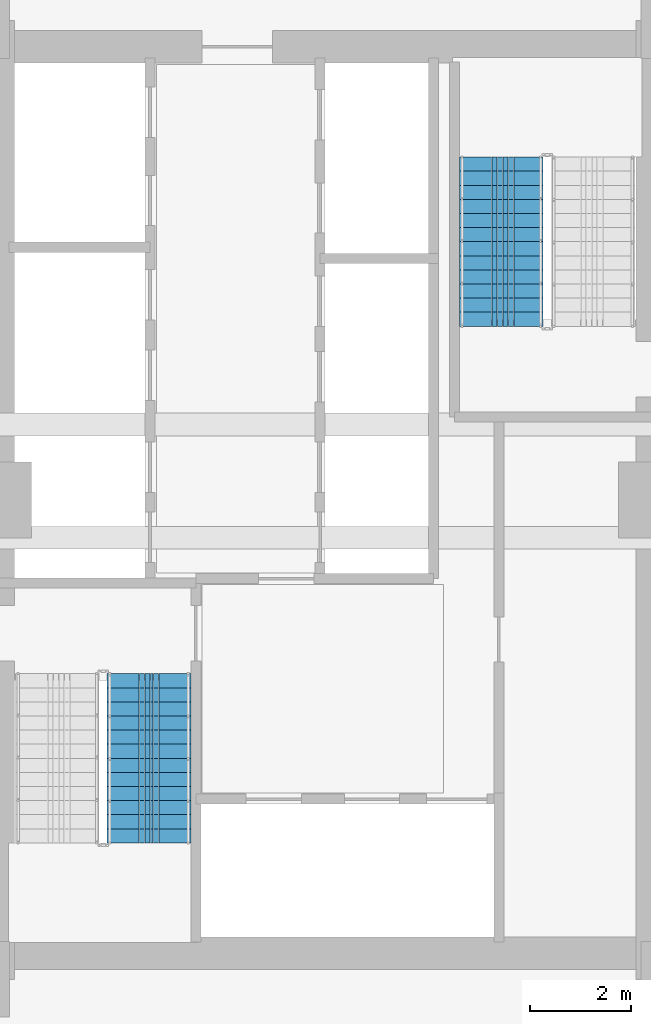
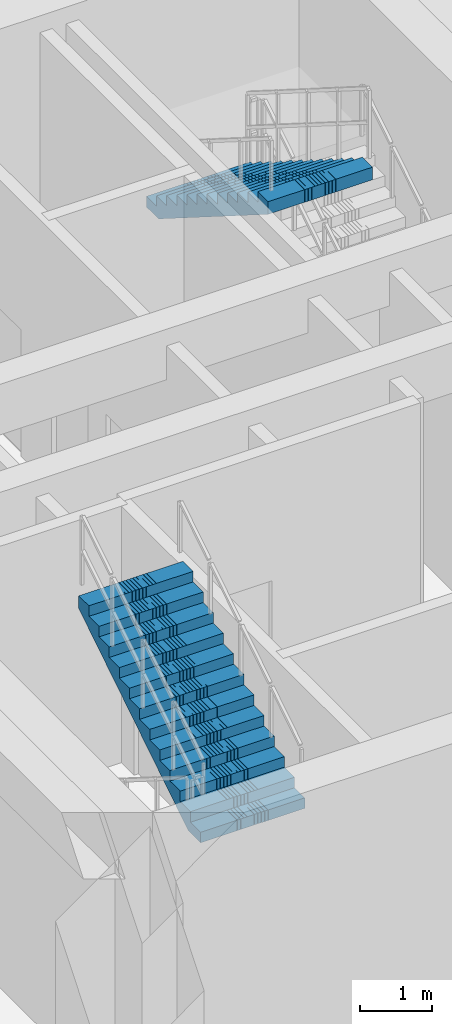
# One storey, part 5 of 12: 2 stair flights, 2 elements without a shape of their own.
"""IFC4 building model written with IfcOpenShell, lengths in metres."""

from ifc_helpers import new_model, si_unit, direction, frame, origin, place, context, subcontext, project, spatial, polyline, outline, extrude, material, type_object, element, aggregate, save


model = new_model("IFC4")

# Units and contexts
model_context = context("Model", 3, precision=1e-05, world=origin(), true_north=direction((0.0, 1.0)))
body_context = subcontext(model_context, "Body", "Model", "MODEL_VIEW")
ifc_project = project(units=[si_unit("LENGTHUNIT", "METRE"), si_unit("AREAUNIT", "SQUARE_METRE"), si_unit("VOLUMEUNIT", "CUBIC_METRE"), si_unit("PLANEANGLEUNIT", "RADIAN"), si_unit("MASSUNIT", "GRAM", prefix="KILO")], contexts=[model_context])

# Site, building, storey
site_placement = place(None, origin())
site = spatial("IfcSite", under=ifc_project, at=site_placement, CompositionType="ELEMENT")
building_placement = place(site_placement, origin())
building = spatial("IfcBuilding", under=site, at=building_placement, Name="Saelheon Loggia Tower", CompositionType="ELEMENT")
storey_placement = place(building_placement, frame((0.0, 0.0, -4.60009765625)))
storey = spatial("IfcBuildingStorey", under=building, at=storey_placement, Name="B1", CompositionType="ELEMENT", Elevation=-4.60009765625)

# Stair, stair flight
ifc_material = material(Name="Concrete C40/50", Category="concrete")
stair_type = type_object("IfcStairType", Name="Stair_Escape_Core", PredefinedType="HALF_TURN_STAIR", material=ifc_material)
stair_1_placement = place(storey_placement, origin())
stair_1 = element("IfcStair", 1, at=stair_1_placement, inside=storey, type_object=stair_type, Name="B1 Special Escape Stair ST1", PredefinedType="HALF_TURN_STAIR")
stair_flight_type = type_object("IfcStairFlightType", Name="StairFlight_Tower_1660", PredefinedType="STRAIGHT", material=ifc_material)
stair_flight_1_placement = place(storey_placement, frame((34.5, 20.18994140625, 2.300048828125), z_axis=(0.0, 0.0, 1.0), x_axis=(0.0, 1.0, 0.0)))
stair_flight_1 = element("IfcStairFlight", 2, at=stair_flight_1_placement, type_object=stair_flight_type, Name="ST1 flight 2", NumberOfRisers=13, NumberOfTreads=12, PredefinedType="STRAIGHT", RiserHeight=0.176923077, TreadLength=0.28, context=body_context, shape_type="SweptSolid", body=[
    extrude(outline(polyline([(0.0, 0.0), (0.0, 0.177001953125), (0.280029296875, 0.177001953125), (0.280029296875, 0.353759765625), (0.56005859375, 0.353759765625), (0.56005859375, 0.53076171875), (0.840087890625, 0.53076171875), (0.840087890625, 0.707763671875), (1.1201171875, 0.707763671875), (1.1201171875, 0.884521484375), (1.39990234375, 0.884521484375), (1.39990234375, 1.0615234375), (1.679931640625, 1.0615234375), (1.679931640625, 1.238525390625), (1.9599609375, 1.238525390625), (1.9599609375, 1.415283203125), (2.239990234375, 1.415283203125), (2.239990234375, 1.59228515625), (2.52001953125, 1.59228515625), (2.52001953125, 1.769287109375), (2.800048828125, 1.769287109375), (2.800048828125, 1.946044921875), (3.080078125, 1.946044921875), (3.080078125, 2.123046875), (3.360107421875, 2.123046875), (3.360107421875, 2.300048828125), (3.360107421875, 1.91015625), (0.3369140625, 0.0), (0.0, 0.0)])), frame((0.0, -0.2490234375, 0.0), z_axis=(0.0, -1.0, 0.0), x_axis=(1.0, 0.0, 0.0)), (0.0, 0.0, 1.0), 0.5810546875),
    extrude(outline(polyline([(0.0, 0.0), (0.0, 0.177001953125), (0.280029296875, 0.177001953125), (0.280029296875, 0.353759765625), (0.56005859375, 0.353759765625), (0.56005859375, 0.53076171875), (0.840087890625, 0.53076171875), (0.840087890625, 0.707763671875), (1.1201171875, 0.707763671875), (1.1201171875, 0.884521484375), (1.39990234375, 0.884521484375), (1.39990234375, 1.0615234375), (1.679931640625, 1.0615234375), (1.679931640625, 1.238525390625), (1.9599609375, 1.238525390625), (1.9599609375, 1.415283203125), (2.239990234375, 1.415283203125), (2.239990234375, 1.59228515625), (2.52001953125, 1.59228515625), (2.52001953125, 1.769287109375), (2.800048828125, 1.769287109375), (2.800048828125, 1.946044921875), (3.080078125, 1.946044921875), (3.080078125, 2.123046875), (3.360107421875, 2.123046875), (3.360107421875, 2.300048828125), (3.360107421875, 1.91015625), (0.3369140625, 0.0), (0.0, 0.0)])), frame((0.0, -0.194091796875, 0.0), z_axis=(0.0, -1.0, 0.0), x_axis=(1.0, 0.0, 0.0)), (0.0, 0.0, 1.0), 0.0498046875),
    extrude(outline(polyline([(0.0, 0.0), (0.0, 0.177001953125), (0.280029296875, 0.177001953125), (0.280029296875, 0.353759765625), (0.56005859375, 0.353759765625), (0.56005859375, 0.53076171875), (0.840087890625, 0.53076171875), (0.840087890625, 0.707763671875), (1.1201171875, 0.707763671875), (1.1201171875, 0.884521484375), (1.39990234375, 0.884521484375), (1.39990234375, 1.0615234375), (1.679931640625, 1.0615234375), (1.679931640625, 1.238525390625), (1.9599609375, 1.238525390625), (1.9599609375, 1.415283203125), (2.239990234375, 1.415283203125), (2.239990234375, 1.59228515625), (2.52001953125, 1.59228515625), (2.52001953125, 1.769287109375), (2.800048828125, 1.769287109375), (2.800048828125, 1.946044921875), (3.080078125, 1.946044921875), (3.080078125, 2.123046875), (3.360107421875, 2.123046875), (3.360107421875, 2.300048828125), (3.360107421875, 1.91015625), (0.3369140625, 0.0), (0.0, 0.0)])), frame((0.0, -0.139404296875, 0.0), z_axis=(0.0, -1.0, 0.0), x_axis=(1.0, 0.0, 0.0)), (0.0, 0.0, 1.0), 0.0498046875),
    extrude(outline(polyline([(0.0, 0.0), (0.0, 0.177001953125), (0.280029296875, 0.177001953125), (0.280029296875, 0.353759765625), (0.56005859375, 0.353759765625), (0.56005859375, 0.53076171875), (0.840087890625, 0.53076171875), (0.840087890625, 0.707763671875), (1.1201171875, 0.707763671875), (1.1201171875, 0.884521484375), (1.39990234375, 0.884521484375), (1.39990234375, 1.0615234375), (1.679931640625, 1.0615234375), (1.679931640625, 1.238525390625), (1.9599609375, 1.238525390625), (1.9599609375, 1.415283203125), (2.239990234375, 1.415283203125), (2.239990234375, 1.59228515625), (2.52001953125, 1.59228515625), (2.52001953125, 1.769287109375), (2.800048828125, 1.769287109375), (2.800048828125, 1.946044921875), (3.080078125, 1.946044921875), (3.080078125, 2.123046875), (3.360107421875, 2.123046875), (3.360107421875, 2.300048828125), (3.360107421875, 1.91015625), (0.3369140625, 0.0), (0.0, 0.0)])), frame((0.0, -0.084716796875, 0.0), z_axis=(0.0, -1.0, 0.0), x_axis=(1.0, 0.0, 0.0)), (0.0, 0.0, 1.0), 0.0498046875),
    extrude(outline(polyline([(0.0, 0.0), (0.0, 0.177001953125), (0.280029296875, 0.177001953125), (0.280029296875, 0.353759765625), (0.56005859375, 0.353759765625), (0.56005859375, 0.53076171875), (0.840087890625, 0.53076171875), (0.840087890625, 0.707763671875), (1.1201171875, 0.707763671875), (1.1201171875, 0.884521484375), (1.39990234375, 0.884521484375), (1.39990234375, 1.0615234375), (1.679931640625, 1.0615234375), (1.679931640625, 1.238525390625), (1.9599609375, 1.238525390625), (1.9599609375, 1.415283203125), (2.239990234375, 1.415283203125), (2.239990234375, 1.59228515625), (2.52001953125, 1.59228515625), (2.52001953125, 1.769287109375), (2.800048828125, 1.769287109375), (2.800048828125, 1.946044921875), (3.080078125, 1.946044921875), (3.080078125, 2.123046875), (3.360107421875, 2.123046875), (3.360107421875, 2.300048828125), (3.360107421875, 1.91015625), (0.3369140625, 0.0), (0.0, 0.0)])), frame((0.0, -0.02978515625, 0.0), z_axis=(0.0, -1.0, 0.0), x_axis=(1.0, 0.0, 0.0)), (0.0, 0.0, 1.0), 0.0498046875),
    extrude(outline(polyline([(0.0, 0.0), (0.0, 0.177001953125), (0.280029296875, 0.177001953125), (0.280029296875, 0.353759765625), (0.56005859375, 0.353759765625), (0.56005859375, 0.53076171875), (0.840087890625, 0.53076171875), (0.840087890625, 0.707763671875), (1.1201171875, 0.707763671875), (1.1201171875, 0.884521484375), (1.39990234375, 0.884521484375), (1.39990234375, 1.0615234375), (1.679931640625, 1.0615234375), (1.679931640625, 1.238525390625), (1.9599609375, 1.238525390625), (1.9599609375, 1.415283203125), (2.239990234375, 1.415283203125), (2.239990234375, 1.59228515625), (2.52001953125, 1.59228515625), (2.52001953125, 1.769287109375), (2.800048828125, 1.769287109375), (2.800048828125, 1.946044921875), (3.080078125, 1.946044921875), (3.080078125, 2.123046875), (3.360107421875, 2.123046875), (3.360107421875, 2.300048828125), (3.360107421875, 1.91015625), (0.3369140625, 0.0), (0.0, 0.0)])), frame((0.0, 0.02490234375, 0.0), z_axis=(0.0, -1.0, 0.0), x_axis=(1.0, 0.0, 0.0)), (0.0, 0.0, 1.0), 0.0498046875),
    extrude(outline(polyline([(0.0, 0.0), (0.0, 0.177001953125), (0.280029296875, 0.177001953125), (0.280029296875, 0.353759765625), (0.56005859375, 0.353759765625), (0.56005859375, 0.53076171875), (0.840087890625, 0.53076171875), (0.840087890625, 0.707763671875), (1.1201171875, 0.707763671875), (1.1201171875, 0.884521484375), (1.39990234375, 0.884521484375), (1.39990234375, 1.0615234375), (1.679931640625, 1.0615234375), (1.679931640625, 1.238525390625), (1.9599609375, 1.238525390625), (1.9599609375, 1.415283203125), (2.239990234375, 1.415283203125), (2.239990234375, 1.59228515625), (2.52001953125, 1.59228515625), (2.52001953125, 1.769287109375), (2.800048828125, 1.769287109375), (2.800048828125, 1.946044921875), (3.080078125, 1.946044921875), (3.080078125, 2.123046875), (3.360107421875, 2.123046875), (3.360107421875, 2.300048828125), (3.360107421875, 1.91015625), (0.3369140625, 0.0), (0.0, 0.0)])), frame((0.0, 0.07958984375, 0.0), z_axis=(0.0, -1.0, 0.0), x_axis=(1.0, 0.0, 0.0)), (0.0, 0.0, 1.0), 0.0498046875),
    extrude(outline(polyline([(0.0, 0.0), (0.0, 0.177001953125), (0.280029296875, 0.177001953125), (0.280029296875, 0.353759765625), (0.56005859375, 0.353759765625), (0.56005859375, 0.53076171875), (0.840087890625, 0.53076171875), (0.840087890625, 0.707763671875), (1.1201171875, 0.707763671875), (1.1201171875, 0.884521484375), (1.39990234375, 0.884521484375), (1.39990234375, 1.0615234375), (1.679931640625, 1.0615234375), (1.679931640625, 1.238525390625), (1.9599609375, 1.238525390625), (1.9599609375, 1.415283203125), (2.239990234375, 1.415283203125), (2.239990234375, 1.59228515625), (2.52001953125, 1.59228515625), (2.52001953125, 1.769287109375), (2.800048828125, 1.769287109375), (2.800048828125, 1.946044921875), (3.080078125, 1.946044921875), (3.080078125, 2.123046875), (3.360107421875, 2.123046875), (3.360107421875, 2.300048828125), (3.360107421875, 1.91015625), (0.3369140625, 0.0), (0.0, 0.0)])), frame((0.0, 0.134521484375, 0.0), z_axis=(0.0, -1.0, 0.0), x_axis=(1.0, 0.0, 0.0)), (0.0, 0.0, 1.0), 0.0498046875),
    extrude(outline(polyline([(0.0, 0.0), (0.0, 0.177001953125), (0.280029296875, 0.177001953125), (0.280029296875, 0.353759765625), (0.56005859375, 0.353759765625), (0.56005859375, 0.53076171875), (0.840087890625, 0.53076171875), (0.840087890625, 0.707763671875), (1.1201171875, 0.707763671875), (1.1201171875, 0.884521484375), (1.39990234375, 0.884521484375), (1.39990234375, 1.0615234375), (1.679931640625, 1.0615234375), (1.679931640625, 1.238525390625), (1.9599609375, 1.238525390625), (1.9599609375, 1.415283203125), (2.239990234375, 1.415283203125), (2.239990234375, 1.59228515625), (2.52001953125, 1.59228515625), (2.52001953125, 1.769287109375), (2.800048828125, 1.769287109375), (2.800048828125, 1.946044921875), (3.080078125, 1.946044921875), (3.080078125, 2.123046875), (3.360107421875, 2.123046875), (3.360107421875, 2.300048828125), (3.360107421875, 1.91015625), (0.3369140625, 0.0), (0.0, 0.0)])), frame((0.0, 0.189208984375, 0.0), z_axis=(0.0, -1.0, 0.0), x_axis=(1.0, 0.0, 0.0)), (0.0, 0.0, 1.0), 0.0498046875),
    extrude(outline(polyline([(0.0, 0.0), (0.0, 0.177001953125), (0.280029296875, 0.177001953125), (0.280029296875, 0.353759765625), (0.56005859375, 0.353759765625), (0.56005859375, 0.53076171875), (0.840087890625, 0.53076171875), (0.840087890625, 0.707763671875), (1.1201171875, 0.707763671875), (1.1201171875, 0.884521484375), (1.39990234375, 0.884521484375), (1.39990234375, 1.0615234375), (1.679931640625, 1.0615234375), (1.679931640625, 1.238525390625), (1.9599609375, 1.238525390625), (1.9599609375, 1.415283203125), (2.239990234375, 1.415283203125), (2.239990234375, 1.59228515625), (2.52001953125, 1.59228515625), (2.52001953125, 1.769287109375), (2.800048828125, 1.769287109375), (2.800048828125, 1.946044921875), (3.080078125, 1.946044921875), (3.080078125, 2.123046875), (3.360107421875, 2.123046875), (3.360107421875, 2.300048828125), (3.360107421875, 1.91015625), (0.3369140625, 0.0), (0.0, 0.0)])), frame((0.0, 0.243896484375, 0.0), z_axis=(0.0, -1.0, 0.0), x_axis=(1.0, 0.0, 0.0)), (0.0, 0.0, 1.0), 0.0498046875),
    extrude(outline(polyline([(0.0, 0.0), (0.0, 0.177001953125), (0.280029296875, 0.177001953125), (0.280029296875, 0.353759765625), (0.56005859375, 0.353759765625), (0.56005859375, 0.53076171875), (0.840087890625, 0.53076171875), (0.840087890625, 0.707763671875), (1.1201171875, 0.707763671875), (1.1201171875, 0.884521484375), (1.39990234375, 0.884521484375), (1.39990234375, 1.0615234375), (1.679931640625, 1.0615234375), (1.679931640625, 1.238525390625), (1.9599609375, 1.238525390625), (1.9599609375, 1.415283203125), (2.239990234375, 1.415283203125), (2.239990234375, 1.59228515625), (2.52001953125, 1.59228515625), (2.52001953125, 1.769287109375), (2.800048828125, 1.769287109375), (2.800048828125, 1.946044921875), (3.080078125, 1.946044921875), (3.080078125, 2.123046875), (3.360107421875, 2.123046875), (3.360107421875, 2.300048828125), (3.360107421875, 1.91015625), (0.3369140625, 0.0), (0.0, 0.0)])), frame((0.0, 0.830078125, 0.0), z_axis=(0.0, -1.0, 0.0), x_axis=(1.0, 0.0, 0.0)), (0.0, 0.0, 1.0), 0.5810546875),
])
aggregate(stair_1, [stair_flight_1])

stair_2_placement = place(storey_placement, origin())
stair_2 = element("IfcStair", 3, at=stair_2_placement, inside=storey, type_object=stair_type, Name="B1 Special Escape Stair ST2", PredefinedType="HALF_TURN_STAIR")
stair_flight_2_placement = place(storey_placement, frame((41.5, 33.81005859375, 2.300048828125), z_axis=(0.0, 0.0, 1.0), x_axis=(0.0, -1.0, 0.0)))
stair_flight_2 = element("IfcStairFlight", 4, at=stair_flight_2_placement, type_object=stair_flight_type, Name="ST2 flight 2", NumberOfRisers=13, NumberOfTreads=12, PredefinedType="STRAIGHT", RiserHeight=0.176923077, TreadLength=0.28, context=body_context, shape_type="SweptSolid", body=[
    extrude(outline(polyline([(0.0, 0.0), (0.0, 0.177001953125), (0.280029296875, 0.177001953125), (0.280029296875, 0.353759765625), (0.56005859375, 0.353759765625), (0.56005859375, 0.53076171875), (0.840087890625, 0.53076171875), (0.840087890625, 0.707763671875), (1.1201171875, 0.707763671875), (1.1201171875, 0.884521484375), (1.39990234375, 0.884521484375), (1.39990234375, 1.0615234375), (1.679931640625, 1.0615234375), (1.679931640625, 1.238525390625), (1.9599609375, 1.238525390625), (1.9599609375, 1.415283203125), (2.239990234375, 1.415283203125), (2.239990234375, 1.59228515625), (2.52001953125, 1.59228515625), (2.52001953125, 1.769287109375), (2.800048828125, 1.769287109375), (2.800048828125, 1.946044921875), (3.080078125, 1.946044921875), (3.080078125, 2.123046875), (3.360107421875, 2.123046875), (3.360107421875, 2.300048828125), (3.360107421875, 1.91015625), (0.3369140625, 0.0), (0.0, 0.0)])), frame((0.0, -0.2490234375, 0.0), z_axis=(0.0, -1.0, 0.0), x_axis=(1.0, 0.0, 0.0)), (0.0, 0.0, 1.0), 0.5810546875),
    extrude(outline(polyline([(0.0, 0.0), (0.0, 0.177001953125), (0.280029296875, 0.177001953125), (0.280029296875, 0.353759765625), (0.56005859375, 0.353759765625), (0.56005859375, 0.53076171875), (0.840087890625, 0.53076171875), (0.840087890625, 0.707763671875), (1.1201171875, 0.707763671875), (1.1201171875, 0.884521484375), (1.39990234375, 0.884521484375), (1.39990234375, 1.0615234375), (1.679931640625, 1.0615234375), (1.679931640625, 1.238525390625), (1.9599609375, 1.238525390625), (1.9599609375, 1.415283203125), (2.239990234375, 1.415283203125), (2.239990234375, 1.59228515625), (2.52001953125, 1.59228515625), (2.52001953125, 1.769287109375), (2.800048828125, 1.769287109375), (2.800048828125, 1.946044921875), (3.080078125, 1.946044921875), (3.080078125, 2.123046875), (3.360107421875, 2.123046875), (3.360107421875, 2.300048828125), (3.360107421875, 1.91015625), (0.3369140625, 0.0), (0.0, 0.0)])), frame((0.0, -0.194091796875, 0.0), z_axis=(0.0, -1.0, 0.0), x_axis=(1.0, 0.0, 0.0)), (0.0, 0.0, 1.0), 0.0498046875),
    extrude(outline(polyline([(0.0, 0.0), (0.0, 0.177001953125), (0.280029296875, 0.177001953125), (0.280029296875, 0.353759765625), (0.56005859375, 0.353759765625), (0.56005859375, 0.53076171875), (0.840087890625, 0.53076171875), (0.840087890625, 0.707763671875), (1.1201171875, 0.707763671875), (1.1201171875, 0.884521484375), (1.39990234375, 0.884521484375), (1.39990234375, 1.0615234375), (1.679931640625, 1.0615234375), (1.679931640625, 1.238525390625), (1.9599609375, 1.238525390625), (1.9599609375, 1.415283203125), (2.239990234375, 1.415283203125), (2.239990234375, 1.59228515625), (2.52001953125, 1.59228515625), (2.52001953125, 1.769287109375), (2.800048828125, 1.769287109375), (2.800048828125, 1.946044921875), (3.080078125, 1.946044921875), (3.080078125, 2.123046875), (3.360107421875, 2.123046875), (3.360107421875, 2.300048828125), (3.360107421875, 1.91015625), (0.3369140625, 0.0), (0.0, 0.0)])), frame((0.0, -0.139404296875, 0.0), z_axis=(0.0, -1.0, 0.0), x_axis=(1.0, 0.0, 0.0)), (0.0, 0.0, 1.0), 0.0498046875),
    extrude(outline(polyline([(0.0, 0.0), (0.0, 0.177001953125), (0.280029296875, 0.177001953125), (0.280029296875, 0.353759765625), (0.56005859375, 0.353759765625), (0.56005859375, 0.53076171875), (0.840087890625, 0.53076171875), (0.840087890625, 0.707763671875), (1.1201171875, 0.707763671875), (1.1201171875, 0.884521484375), (1.39990234375, 0.884521484375), (1.39990234375, 1.0615234375), (1.679931640625, 1.0615234375), (1.679931640625, 1.238525390625), (1.9599609375, 1.238525390625), (1.9599609375, 1.415283203125), (2.239990234375, 1.415283203125), (2.239990234375, 1.59228515625), (2.52001953125, 1.59228515625), (2.52001953125, 1.769287109375), (2.800048828125, 1.769287109375), (2.800048828125, 1.946044921875), (3.080078125, 1.946044921875), (3.080078125, 2.123046875), (3.360107421875, 2.123046875), (3.360107421875, 2.300048828125), (3.360107421875, 1.91015625), (0.3369140625, 0.0), (0.0, 0.0)])), frame((0.0, -0.084716796875, 0.0), z_axis=(0.0, -1.0, 0.0), x_axis=(1.0, 0.0, 0.0)), (0.0, 0.0, 1.0), 0.0498046875),
    extrude(outline(polyline([(0.0, 0.0), (0.0, 0.177001953125), (0.280029296875, 0.177001953125), (0.280029296875, 0.353759765625), (0.56005859375, 0.353759765625), (0.56005859375, 0.53076171875), (0.840087890625, 0.53076171875), (0.840087890625, 0.707763671875), (1.1201171875, 0.707763671875), (1.1201171875, 0.884521484375), (1.39990234375, 0.884521484375), (1.39990234375, 1.0615234375), (1.679931640625, 1.0615234375), (1.679931640625, 1.238525390625), (1.9599609375, 1.238525390625), (1.9599609375, 1.415283203125), (2.239990234375, 1.415283203125), (2.239990234375, 1.59228515625), (2.52001953125, 1.59228515625), (2.52001953125, 1.769287109375), (2.800048828125, 1.769287109375), (2.800048828125, 1.946044921875), (3.080078125, 1.946044921875), (3.080078125, 2.123046875), (3.360107421875, 2.123046875), (3.360107421875, 2.300048828125), (3.360107421875, 1.91015625), (0.3369140625, 0.0), (0.0, 0.0)])), frame((0.0, -0.02978515625, 0.0), z_axis=(0.0, -1.0, 0.0), x_axis=(1.0, 0.0, 0.0)), (0.0, 0.0, 1.0), 0.0498046875),
    extrude(outline(polyline([(0.0, 0.0), (0.0, 0.177001953125), (0.280029296875, 0.177001953125), (0.280029296875, 0.353759765625), (0.56005859375, 0.353759765625), (0.56005859375, 0.53076171875), (0.840087890625, 0.53076171875), (0.840087890625, 0.707763671875), (1.1201171875, 0.707763671875), (1.1201171875, 0.884521484375), (1.39990234375, 0.884521484375), (1.39990234375, 1.0615234375), (1.679931640625, 1.0615234375), (1.679931640625, 1.238525390625), (1.9599609375, 1.238525390625), (1.9599609375, 1.415283203125), (2.239990234375, 1.415283203125), (2.239990234375, 1.59228515625), (2.52001953125, 1.59228515625), (2.52001953125, 1.769287109375), (2.800048828125, 1.769287109375), (2.800048828125, 1.946044921875), (3.080078125, 1.946044921875), (3.080078125, 2.123046875), (3.360107421875, 2.123046875), (3.360107421875, 2.300048828125), (3.360107421875, 1.91015625), (0.3369140625, 0.0), (0.0, 0.0)])), frame((0.0, 0.02490234375, 0.0), z_axis=(0.0, -1.0, 0.0), x_axis=(1.0, 0.0, 0.0)), (0.0, 0.0, 1.0), 0.0498046875),
    extrude(outline(polyline([(0.0, 0.0), (0.0, 0.177001953125), (0.280029296875, 0.177001953125), (0.280029296875, 0.353759765625), (0.56005859375, 0.353759765625), (0.56005859375, 0.53076171875), (0.840087890625, 0.53076171875), (0.840087890625, 0.707763671875), (1.1201171875, 0.707763671875), (1.1201171875, 0.884521484375), (1.39990234375, 0.884521484375), (1.39990234375, 1.0615234375), (1.679931640625, 1.0615234375), (1.679931640625, 1.238525390625), (1.9599609375, 1.238525390625), (1.9599609375, 1.415283203125), (2.239990234375, 1.415283203125), (2.239990234375, 1.59228515625), (2.52001953125, 1.59228515625), (2.52001953125, 1.769287109375), (2.800048828125, 1.769287109375), (2.800048828125, 1.946044921875), (3.080078125, 1.946044921875), (3.080078125, 2.123046875), (3.360107421875, 2.123046875), (3.360107421875, 2.300048828125), (3.360107421875, 1.91015625), (0.3369140625, 0.0), (0.0, 0.0)])), frame((0.0, 0.07958984375, 0.0), z_axis=(0.0, -1.0, 0.0), x_axis=(1.0, 0.0, 0.0)), (0.0, 0.0, 1.0), 0.0498046875),
    extrude(outline(polyline([(0.0, 0.0), (0.0, 0.177001953125), (0.280029296875, 0.177001953125), (0.280029296875, 0.353759765625), (0.56005859375, 0.353759765625), (0.56005859375, 0.53076171875), (0.840087890625, 0.53076171875), (0.840087890625, 0.707763671875), (1.1201171875, 0.707763671875), (1.1201171875, 0.884521484375), (1.39990234375, 0.884521484375), (1.39990234375, 1.0615234375), (1.679931640625, 1.0615234375), (1.679931640625, 1.238525390625), (1.9599609375, 1.238525390625), (1.9599609375, 1.415283203125), (2.239990234375, 1.415283203125), (2.239990234375, 1.59228515625), (2.52001953125, 1.59228515625), (2.52001953125, 1.769287109375), (2.800048828125, 1.769287109375), (2.800048828125, 1.946044921875), (3.080078125, 1.946044921875), (3.080078125, 2.123046875), (3.360107421875, 2.123046875), (3.360107421875, 2.300048828125), (3.360107421875, 1.91015625), (0.3369140625, 0.0), (0.0, 0.0)])), frame((0.0, 0.134521484375, 0.0), z_axis=(0.0, -1.0, 0.0), x_axis=(1.0, 0.0, 0.0)), (0.0, 0.0, 1.0), 0.0498046875),
    extrude(outline(polyline([(0.0, 0.0), (0.0, 0.177001953125), (0.280029296875, 0.177001953125), (0.280029296875, 0.353759765625), (0.56005859375, 0.353759765625), (0.56005859375, 0.53076171875), (0.840087890625, 0.53076171875), (0.840087890625, 0.707763671875), (1.1201171875, 0.707763671875), (1.1201171875, 0.884521484375), (1.39990234375, 0.884521484375), (1.39990234375, 1.0615234375), (1.679931640625, 1.0615234375), (1.679931640625, 1.238525390625), (1.9599609375, 1.238525390625), (1.9599609375, 1.415283203125), (2.239990234375, 1.415283203125), (2.239990234375, 1.59228515625), (2.52001953125, 1.59228515625), (2.52001953125, 1.769287109375), (2.800048828125, 1.769287109375), (2.800048828125, 1.946044921875), (3.080078125, 1.946044921875), (3.080078125, 2.123046875), (3.360107421875, 2.123046875), (3.360107421875, 2.300048828125), (3.360107421875, 1.91015625), (0.3369140625, 0.0), (0.0, 0.0)])), frame((0.0, 0.189208984375, 0.0), z_axis=(0.0, -1.0, 0.0), x_axis=(1.0, 0.0, 0.0)), (0.0, 0.0, 1.0), 0.0498046875),
    extrude(outline(polyline([(0.0, 0.0), (0.0, 0.177001953125), (0.280029296875, 0.177001953125), (0.280029296875, 0.353759765625), (0.56005859375, 0.353759765625), (0.56005859375, 0.53076171875), (0.840087890625, 0.53076171875), (0.840087890625, 0.707763671875), (1.1201171875, 0.707763671875), (1.1201171875, 0.884521484375), (1.39990234375, 0.884521484375), (1.39990234375, 1.0615234375), (1.679931640625, 1.0615234375), (1.679931640625, 1.238525390625), (1.9599609375, 1.238525390625), (1.9599609375, 1.415283203125), (2.239990234375, 1.415283203125), (2.239990234375, 1.59228515625), (2.52001953125, 1.59228515625), (2.52001953125, 1.769287109375), (2.800048828125, 1.769287109375), (2.800048828125, 1.946044921875), (3.080078125, 1.946044921875), (3.080078125, 2.123046875), (3.360107421875, 2.123046875), (3.360107421875, 2.300048828125), (3.360107421875, 1.91015625), (0.3369140625, 0.0), (0.0, 0.0)])), frame((0.0, 0.243896484375, 0.0), z_axis=(0.0, -1.0, 0.0), x_axis=(1.0, 0.0, 0.0)), (0.0, 0.0, 1.0), 0.0498046875),
    extrude(outline(polyline([(0.0, 0.0), (0.0, 0.177001953125), (0.280029296875, 0.177001953125), (0.280029296875, 0.353759765625), (0.56005859375, 0.353759765625), (0.56005859375, 0.53076171875), (0.840087890625, 0.53076171875), (0.840087890625, 0.707763671875), (1.1201171875, 0.707763671875), (1.1201171875, 0.884521484375), (1.39990234375, 0.884521484375), (1.39990234375, 1.0615234375), (1.679931640625, 1.0615234375), (1.679931640625, 1.238525390625), (1.9599609375, 1.238525390625), (1.9599609375, 1.415283203125), (2.239990234375, 1.415283203125), (2.239990234375, 1.59228515625), (2.52001953125, 1.59228515625), (2.52001953125, 1.769287109375), (2.800048828125, 1.769287109375), (2.800048828125, 1.946044921875), (3.080078125, 1.946044921875), (3.080078125, 2.123046875), (3.360107421875, 2.123046875), (3.360107421875, 2.300048828125), (3.360107421875, 1.91015625), (0.3369140625, 0.0), (0.0, 0.0)])), frame((0.0, 0.830078125, 0.0), z_axis=(0.0, -1.0, 0.0), x_axis=(1.0, 0.0, 0.0)), (0.0, 0.0, 1.0), 0.5810546875),
])
aggregate(stair_2, [stair_flight_2])

save(model, "model.ifc")
